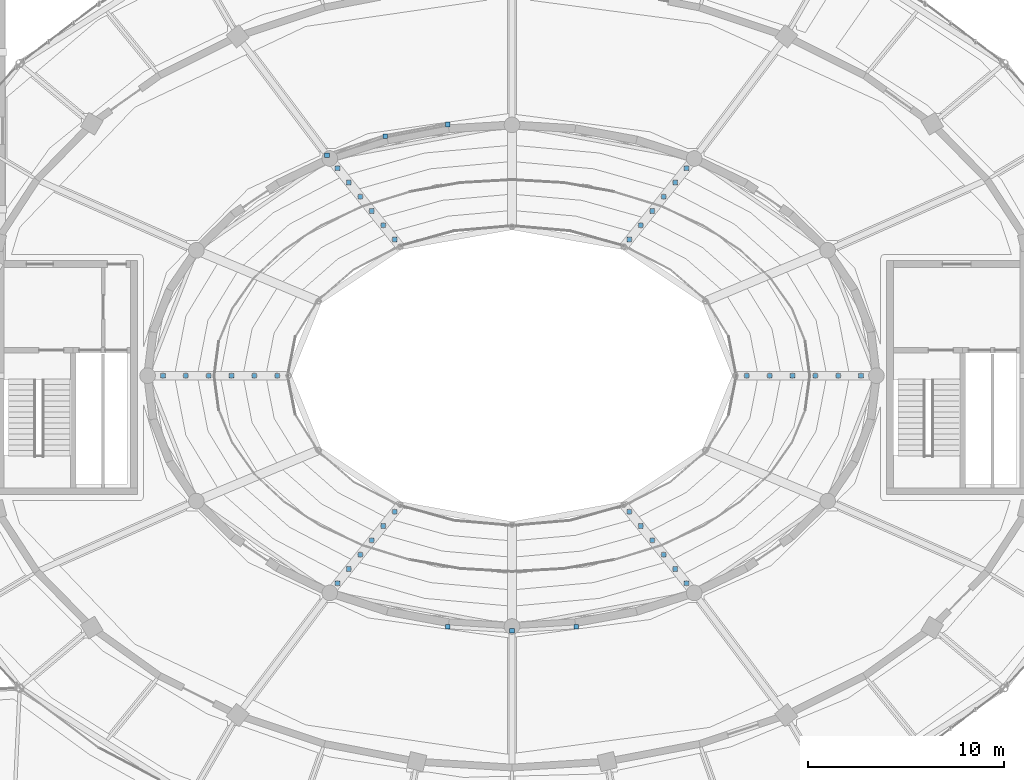
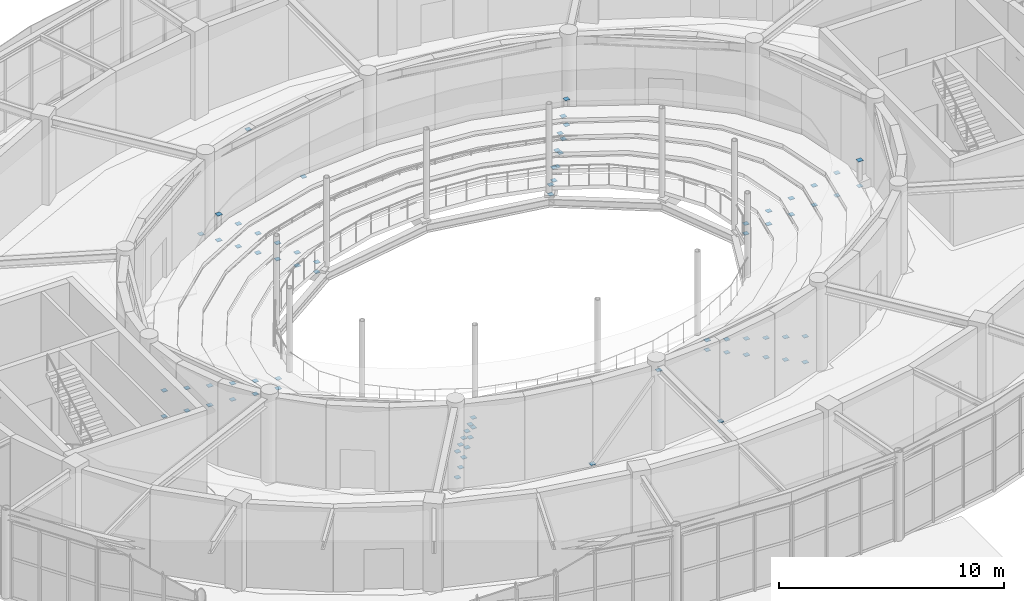
# One storey, part 87 of 100: 78 discrete accessories.
"""IFC4 building model written with IfcOpenShell, lengths in metres."""

from ifc_helpers import new_model, si_unit, direction, frame, origin, origin_2d, place, context, subcontext, project, spatial, rectangle, extrude, material, type_object, element, save


model = new_model("IFC4")

# Units and contexts
model_context = context("Model", 3, precision=1e-05, world=origin(), true_north=direction((0.0, 1.0)))
body_context = subcontext(model_context, "Body", "Model", "MODEL_VIEW")
ifc_project = project(units=[si_unit("LENGTHUNIT", "METRE"), si_unit("AREAUNIT", "SQUARE_METRE"), si_unit("VOLUMEUNIT", "CUBIC_METRE"), si_unit("PLANEANGLEUNIT", "RADIAN"), si_unit("MASSUNIT", "GRAM", prefix="KILO")], contexts=[model_context])

# Site, building, storey
site_placement = place(None, origin())
site = spatial("IfcSite", under=ifc_project, at=site_placement, CompositionType="ELEMENT")
building_placement = place(site_placement, origin())
building = spatial("IfcBuilding", under=site, at=building_placement, Name="Tarnveldt Headland Concert Hall", CompositionType="ELEMENT")
storey_placement = place(building_placement, frame((0.0, 0.0, 4.800048828125)))
storey = spatial("IfcBuildingStorey", under=building, at=storey_placement, Name="L01", CompositionType="ELEMENT", Elevation=4.800048828125)

# Discrete accessories
ifc_material = material(Name="Steel S355", Category="steel")
discrete_accessory_type = type_object("IfcDiscreteAccessoryType", Name="DA-GUS25", PredefinedType="BRACKET", material=ifc_material)
for number, where, z_axis, x_axis, name in (
    (1, (95.4833984375, 54.5, -0.48193359375), (0.0, 0.0, 1.0), (1.0, 0.0, 0.0), "Bolted raker stool shoe connection L01-1-1 lower"),
    (2, (95.4833984375, 54.5, 0.050048828125), (0.0, 0.0, 1.0), (1.0, 0.0, 0.0), "Bolted raker stool shoe connection L01-1-1 upper"),
    (3, (89.49169921875, 61.44677734375, -0.48193359375), (0.0, 0.0, 1.0), (1.0, 0.0, 0.0), "Bolted raker stool shoe connection L01-1-3 lower"),
    (4, (89.49169921875, 61.44677734375, 0.050048828125), (0.0, 0.0, 1.0), (1.0, 0.0, 0.0), "Bolted raker stool shoe connection L01-1-3 upper"),
    (5, (77.50830078125, 61.44677734375, -0.48193359375), (0.0, 0.0, 1.0), (1.0, 0.0, 0.0), "Bolted raker stool shoe connection L01-1-5 lower"),
    (6, (77.50830078125, 61.44677734375, 0.050048828125), (0.0, 0.0, 1.0), (1.0, 0.0, 0.0), "Bolted raker stool shoe connection L01-1-5 upper"),
    (7, (71.5166015625, 54.5, -0.48193359375), (0.0, 0.0, 1.0), (1.0, 0.0, 0.0), "Bolted raker stool shoe connection L01-1-7 lower"),
    (8, (71.5166015625, 54.5, 0.050048828125), (0.0, 0.0, 1.0), (1.0, 0.0, 0.0), "Bolted raker stool shoe connection L01-1-7 upper"),
    (9, (77.50830078125, 47.55322265625, -0.48193359375), (0.0, 0.0, 1.0), (1.0, 0.0, 0.0), "Bolted raker stool shoe connection L01-1-9 lower"),
    (10, (77.50830078125, 47.55322265625, 0.050048828125), (0.0, 0.0, 1.0), (1.0, 0.0, 0.0), "Bolted raker stool shoe connection L01-1-9 upper"),
    (11, (89.49169921875, 47.55322265625, -0.48193359375), (0.0, 0.0, 1.0), (1.0, 0.0, 0.0), "Bolted raker stool shoe connection L01-1-11 lower"),
    (12, (89.49169921875, 47.55322265625, 0.050048828125), (0.0, 0.0, 1.0), (1.0, 0.0, 0.0), "Bolted raker stool shoe connection L01-1-11 upper"),
    (13, (96.64990234375, 54.5, -0.375732421875), (0.0, 0.0, 1.0), (1.0, 0.0, 0.0), "Bolted raker stool shoe connection L01-2-1 lower"),
    (14, (96.64990234375, 54.5, 0.330078125), (0.0, 0.0, 1.0), (1.0, 0.0, 0.0), "Bolted raker stool shoe connection L01-2-1 upper"),
    (15, (90.074951171875, 62.176513671875, -0.375732421875), (0.0, 0.0, 1.0), (1.0, 0.0, 0.0), "Bolted raker stool shoe connection L01-2-3 lower"),
    (16, (90.074951171875, 62.176513671875, 0.330078125), (0.0, 0.0, 1.0), (1.0, 0.0, 0.0), "Bolted raker stool shoe connection L01-2-3 upper"),
    (17, (76.925048828125, 62.176513671875, -0.375732421875), (0.0, 0.0, 1.0), (1.0, 0.0, 0.0), "Bolted raker stool shoe connection L01-2-5 lower"),
    (18, (76.925048828125, 62.176513671875, 0.330078125), (0.0, 0.0, 1.0), (1.0, 0.0, 0.0), "Bolted raker stool shoe connection L01-2-5 upper"),
    (19, (70.35009765625, 54.5, -0.375732421875), (0.0, 0.0, 1.0), (1.0, 0.0, 0.0), "Bolted raker stool shoe connection L01-2-7 lower"),
    (20, (70.35009765625, 54.5, 0.330078125), (0.0, 0.0, 1.0), (1.0, 0.0, 0.0), "Bolted raker stool shoe connection L01-2-7 upper"),
    (21, (76.925048828125, 46.823486328125, -0.375732421875), (0.0, 0.0, 1.0), (1.0, 0.0, 0.0), "Bolted raker stool shoe connection L01-2-9 lower"),
    (22, (76.925048828125, 46.823486328125, 0.330078125), (0.0, 0.0, 1.0), (1.0, 0.0, 0.0), "Bolted raker stool shoe connection L01-2-9 upper"),
    (23, (90.074951171875, 46.823486328125, -0.375732421875), (0.0, 0.0, 1.0), (1.0, 0.0, 0.0), "Bolted raker stool shoe connection L01-2-11 lower"),
    (24, (90.074951171875, 46.823486328125, 0.330078125), (0.0, 0.0, 1.0), (1.0, 0.0, 0.0), "Bolted raker stool shoe connection L01-2-11 upper"),
    (25, (97.816650390625, 54.5, -0.269775390625), (0.0, 0.0, 1.0), (1.0, 0.0, 0.0), "Bolted raker stool shoe connection L01-3-1 lower"),
    (26, (97.816650390625, 54.5, 0.610107421875), (0.0, 0.0, 1.0), (1.0, 0.0, 0.0), "Bolted raker stool shoe connection L01-3-1 upper"),
    (27, (90.658203125, 62.906005859375, -0.269775390625), (0.0, 0.0, 1.0), (1.0, 0.0, 0.0), "Bolted raker stool shoe connection L01-3-3 lower"),
    (28, (90.658203125, 62.906005859375, 0.610107421875), (0.0, 0.0, 1.0), (1.0, 0.0, 0.0), "Bolted raker stool shoe connection L01-3-3 upper"),
    (29, (76.341796875, 62.906005859375, -0.269775390625), (0.0, 0.0, 1.0), (1.0, 0.0, 0.0), "Bolted raker stool shoe connection L01-3-5 lower"),
    (30, (76.341796875, 62.906005859375, 0.610107421875), (0.0, 0.0, 1.0), (1.0, 0.0, 0.0), "Bolted raker stool shoe connection L01-3-5 upper"),
    (31, (69.183349609375, 54.5, -0.269775390625), (0.0, 0.0, 1.0), (1.0, 0.0, 0.0), "Bolted raker stool shoe connection L01-3-7 lower"),
    (32, (69.183349609375, 54.5, 0.610107421875), (0.0, 0.0, 1.0), (1.0, 0.0, 0.0), "Bolted raker stool shoe connection L01-3-7 upper"),
    (33, (76.341796875, 46.093994140625, -0.269775390625), (0.0, 0.0, 1.0), (1.0, 0.0, 0.0), "Bolted raker stool shoe connection L01-3-9 lower"),
    (34, (76.341796875, 46.093994140625, 0.610107421875), (0.0, 0.0, 1.0), (1.0, 0.0, 0.0), "Bolted raker stool shoe connection L01-3-9 upper"),
    (35, (90.658203125, 46.093994140625, -0.269775390625), (0.0, 0.0, 1.0), (1.0, 0.0, 0.0), "Bolted raker stool shoe connection L01-3-11 lower"),
    (36, (90.658203125, 46.093994140625, 0.610107421875), (0.0, 0.0, 1.0), (1.0, 0.0, 0.0), "Bolted raker stool shoe connection L01-3-11 upper"),
    (37, (98.9833984375, 54.5, -0.16357421875), (0.0, 0.0, 1.0), (1.0, 0.0, 0.0), "Bolted raker stool shoe connection L01-4-1 lower"),
    (38, (98.9833984375, 54.5, 0.889892578125), (0.0, 0.0, 1.0), (1.0, 0.0, 0.0), "Bolted raker stool shoe connection L01-4-1 upper"),
    (39, (91.24169921875, 63.6357421875, -0.16357421875), (0.0, 0.0, 1.0), (1.0, 0.0, 0.0), "Bolted raker stool shoe connection L01-4-3 lower"),
    (40, (91.24169921875, 63.6357421875, 0.889892578125), (0.0, 0.0, 1.0), (1.0, 0.0, 0.0), "Bolted raker stool shoe connection L01-4-3 upper"),
    (41, (75.75830078125, 63.6357421875, -0.16357421875), (0.0, 0.0, 1.0), (1.0, 0.0, 0.0), "Bolted raker stool shoe connection L01-4-5 lower"),
    (42, (75.75830078125, 63.6357421875, 0.889892578125), (0.0, 0.0, 1.0), (1.0, 0.0, 0.0), "Bolted raker stool shoe connection L01-4-5 upper"),
    (43, (68.0166015625, 54.5, -0.16357421875), (0.0, 0.0, 1.0), (1.0, 0.0, 0.0), "Bolted raker stool shoe connection L01-4-7 lower"),
    (44, (68.0166015625, 54.5, 0.889892578125), (0.0, 0.0, 1.0), (1.0, 0.0, 0.0), "Bolted raker stool shoe connection L01-4-7 upper"),
    (45, (75.75830078125, 45.3642578125, -0.16357421875), (0.0, 0.0, 1.0), (1.0, 0.0, 0.0), "Bolted raker stool shoe connection L01-4-9 lower"),
    (46, (75.75830078125, 45.3642578125, 0.889892578125), (0.0, 0.0, 1.0), (1.0, 0.0, 0.0), "Bolted raker stool shoe connection L01-4-9 upper"),
    (47, (91.24169921875, 45.3642578125, -0.16357421875), (0.0, 0.0, 1.0), (1.0, 0.0, 0.0), "Bolted raker stool shoe connection L01-4-11 lower"),
    (48, (91.24169921875, 45.3642578125, 0.889892578125), (0.0, 0.0, 1.0), (1.0, 0.0, 0.0), "Bolted raker stool shoe connection L01-4-11 upper"),
    (49, (100.14990234375, 54.5, -0.057373046875), (0.0, 0.0, 1.0), (1.0, 0.0, 0.0), "Bolted raker stool shoe connection L01-5-1 lower"),
    (50, (100.14990234375, 54.5, 1.169921875), (0.0, 0.0, 1.0), (1.0, 0.0, 0.0), "Bolted raker stool shoe connection L01-5-1 upper"),
    (51, (91.824951171875, 64.365478515625, -0.057373046875), (0.0, 0.0, 1.0), (1.0, 0.0, 0.0), "Bolted raker stool shoe connection L01-5-3 lower"),
    (52, (91.824951171875, 64.365478515625, 1.169921875), (0.0, 0.0, 1.0), (1.0, 0.0, 0.0), "Bolted raker stool shoe connection L01-5-3 upper"),
    (53, (75.175048828125, 64.365478515625, -0.057373046875), (0.0, 0.0, 1.0), (1.0, 0.0, 0.0), "Bolted raker stool shoe connection L01-5-5 lower"),
    (54, (75.175048828125, 64.365478515625, 1.169921875), (0.0, 0.0, 1.0), (1.0, 0.0, 0.0), "Bolted raker stool shoe connection L01-5-5 upper"),
    (55, (66.85009765625, 54.5, -0.057373046875), (0.0, 0.0, 1.0), (1.0, 0.0, 0.0), "Bolted raker stool shoe connection L01-5-7 lower"),
    (56, (66.85009765625, 54.5, 1.169921875), (0.0, 0.0, 1.0), (1.0, 0.0, 0.0), "Bolted raker stool shoe connection L01-5-7 upper"),
    (57, (75.175048828125, 44.634521484375, -0.057373046875), (0.0, 0.0, 1.0), (1.0, 0.0, 0.0), "Bolted raker stool shoe connection L01-5-9 lower"),
    (58, (75.175048828125, 44.634521484375, 1.169921875), (0.0, 0.0, 1.0), (1.0, 0.0, 0.0), "Bolted raker stool shoe connection L01-5-9 upper"),
    (59, (91.824951171875, 44.634521484375, -0.057373046875), (0.0, 0.0, 1.0), (1.0, 0.0, 0.0), "Bolted raker stool shoe connection L01-5-11 lower"),
    (60, (91.824951171875, 44.634521484375, 1.169921875), (0.0, 0.0, 1.0), (1.0, 0.0, 0.0), "Bolted raker stool shoe connection L01-5-11 upper"),
    (61, (101.316650390625, 54.5, 0.048583984375), (0.0, 0.0, 1.0), (1.0, 0.0, 0.0), "Bolted raker stool shoe connection L01-6-1 lower"),
    (62, (101.316650390625, 54.5, 1.449951171875), (0.0, 0.0, 1.0), (1.0, 0.0, 0.0), "Bolted raker stool shoe connection L01-6-1 upper"),
    (63, (92.408203125, 65.09521484375, 0.048583984375), (0.0, 0.0, 1.0), (1.0, 0.0, 0.0), "Bolted raker stool shoe connection L01-6-3 lower"),
    (64, (92.408203125, 65.09521484375, 1.449951171875), (0.0, 0.0, 1.0), (1.0, 0.0, 0.0), "Bolted raker stool shoe connection L01-6-3 upper"),
    (65, (74.591796875, 65.09521484375, 0.048583984375), (0.0, 0.0, 1.0), (1.0, 0.0, 0.0), "Bolted raker stool shoe connection L01-6-5 lower"),
    (66, (74.591796875, 65.09521484375, 1.449951171875), (0.0, 0.0, 1.0), (1.0, 0.0, 0.0), "Bolted raker stool shoe connection L01-6-5 upper"),
    (67, (65.683349609375, 54.5, 0.048583984375), (0.0, 0.0, 1.0), (1.0, 0.0, 0.0), "Bolted raker stool shoe connection L01-6-7 lower"),
    (68, (65.683349609375, 54.5, 1.449951171875), (0.0, 0.0, 1.0), (1.0, 0.0, 0.0), "Bolted raker stool shoe connection L01-6-7 upper"),
    (69, (74.591796875, 43.90478515625, 0.048583984375), (0.0, 0.0, 1.0), (1.0, 0.0, 0.0), "Bolted raker stool shoe connection L01-6-9 lower"),
    (70, (74.591796875, 43.90478515625, 1.449951171875), (0.0, 0.0, 1.0), (1.0, 0.0, 0.0), "Bolted raker stool shoe connection L01-6-9 upper"),
    (71, (92.408203125, 43.90478515625, 0.048583984375), (0.0, 0.0, 1.0), (1.0, 0.0, 0.0), "Bolted raker stool shoe connection L01-6-11 lower"),
    (72, (92.408203125, 43.90478515625, 1.449951171875), (0.0, 0.0, 1.0), (1.0, 0.0, 0.0), "Bolted raker stool shoe connection L01-6-11 upper"),
    (73, (80.215576171875, 67.318603515625, 0.16748046875), (0.0, 0.0, 1.0), (1.0, 0.0, 0.0), "Bolted brace gusset connection 24"),
    (74, (74.05859375, 65.753662109375, 0.16748046875), (0.0, 0.0, 1.0), (1.0, 0.0, 0.0), "Bolted brace gusset connection 25"),
    (75, (77.035400390625, 66.72265625, 4.20751953125), (0.0, 0.0, 1.0), (1.0, 0.0, 0.0), "Bolted brace gusset connection 26"),
    (76, (80.215576171875, 41.681396484375, 0.16748046875), (0.0, 0.0, 1.0), (1.0, 0.0, 0.0), "Bolted brace gusset connection 27"),
    (77, (86.784423828125, 41.681396484375, 0.16748046875), (0.0, 0.0, 1.0), (1.0, 0.0, 0.0), "Bolted brace gusset connection 28"),
    (78, (83.5, 41.47998046875, 4.20751953125), (0.0, 0.0, 1.0), (1.0, 0.0, 0.0), "Bolted brace gusset connection 29"),
):
    element("IfcDiscreteAccessory", number, at=place(storey_placement, frame(where, z_axis=z_axis, x_axis=x_axis)), inside=storey, type_object=discrete_accessory_type, Name=name, PredefinedType="BRACKET", context=body_context, shape_type="SweptSolid", body=[
        extrude(rectangle(XDim=0.239990234375, YDim=0.239990234375, at=origin_2d()), origin(), (0.0, 0.0, 1.0), 0.02490234375),
    ])

save(model, "model.ifc")
